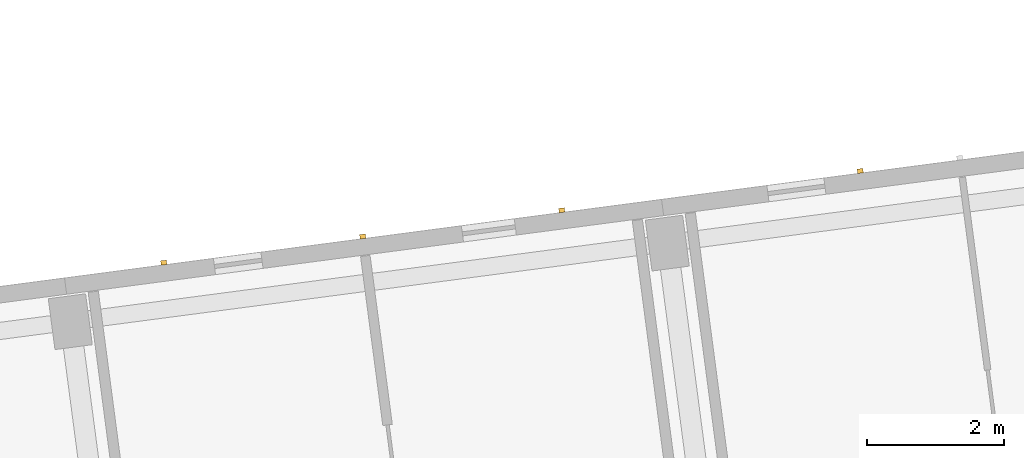
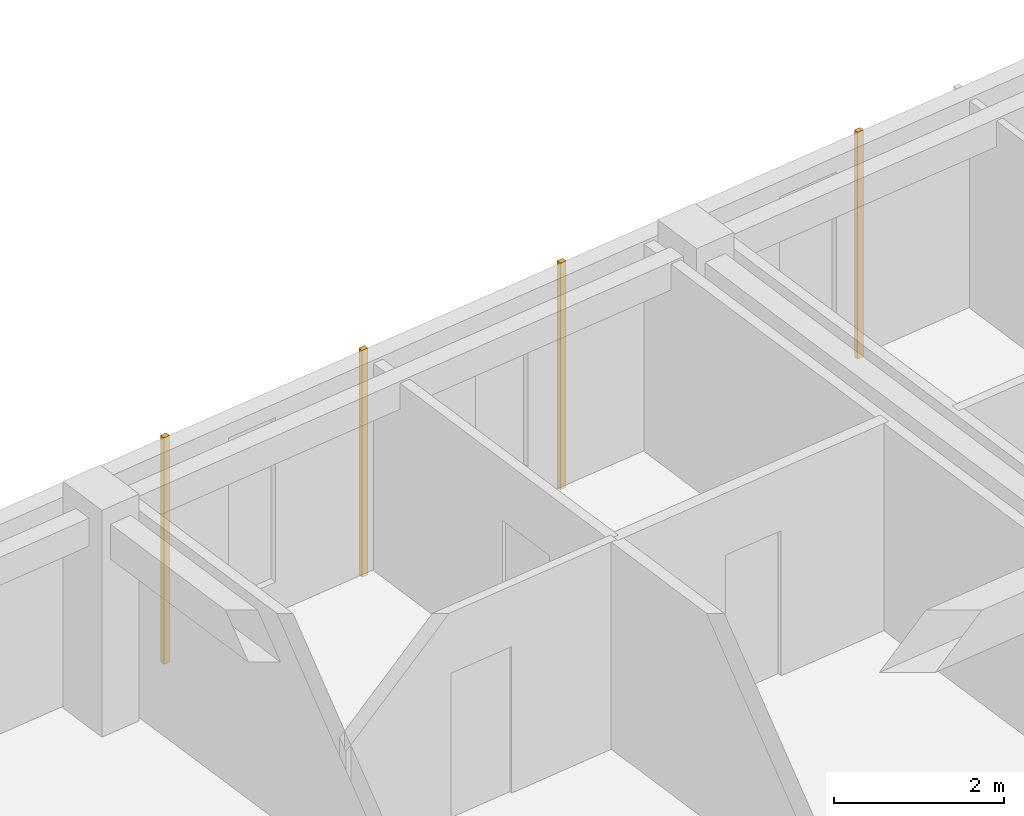
# One storey, part 49 of 68: 4 coverings.
"""IFC4 building model written with IfcOpenShell, lengths in metres."""

from ifc_helpers import new_model, si_unit, direction, frame, origin, origin_2d, place, context, subcontext, project, spatial, rectangle, extrude, material, layer, layer_set, type_object, element, save


model = new_model("IFC4")

# Units and contexts
model_context = context("Model", 3, precision=1e-05, world=origin(), true_north=direction((0.0, 1.0)))
body_context = subcontext(model_context, "Body", "Model", "MODEL_VIEW")
ifc_project = project(units=[si_unit("LENGTHUNIT", "METRE"), si_unit("AREAUNIT", "SQUARE_METRE"), si_unit("VOLUMEUNIT", "CUBIC_METRE"), si_unit("PLANEANGLEUNIT", "RADIAN"), si_unit("MASSUNIT", "GRAM", prefix="KILO")], contexts=[model_context])

# Site, building, storey
site_placement = place(None, origin())
site = spatial("IfcSite", under=ifc_project, at=site_placement, CompositionType="ELEMENT")
building_placement = place(site_placement, origin())
building = spatial("IfcBuilding", under=site, at=building_placement, Name="Kestramere Prow Commons", CompositionType="ELEMENT")
storey_placement = place(building_placement, frame((0.0, 0.0, 18.14990234375)))
storey = spatial("IfcBuildingStorey", under=building, at=storey_placement, Name="L05", CompositionType="ELEMENT", Elevation=18.14990234375)

# Coverings
ifc_material = material(Name="Weathered Zinc-Titanium Standing-Seam Cladding")
ifc_layer = layer(ifc_material, 0.074951171875)
ifc_layer_set = layer_set([ifc_layer], Name="Weathered Zinc-Titanium Standing-Seam Cladding")
covering_type = type_object("IfcCoveringType", Name="COV-CLAD-SEAM", PredefinedType="CLADDING", material=ifc_layer_set)
for number, where, z_axis, x_axis, name in (
    (1, (36.12939453125, 96.137939453125, -0.25), (0.0, 0.0, 1.0), (0.991444861374, 0.13052619222, 0.0), "EW-A-L05-N-3 Standing-Seam Rib 1"),
    (2, (39.03759765625, 96.520751953125, -0.25), (0.0, 0.0, 1.0), (0.991444861374, 0.13052619222, 0.0), "EW-A-L05-N-3 Standing-Seam Rib 3"),
    (3, (41.94580078125, 96.903564453125, -0.25), (0.0, 0.0, 1.0), (0.991444861374, 0.13052619222, 0.0), "EW-A-L05-N-3 Standing-Seam Rib 5"),
    (4, (46.30810546875, 97.47802734375, -0.25), (0.0, 0.0, 1.0), (0.991444861374, 0.13052619222, 0.0), "EW-A-L05-N-4 Standing-Seam Rib 2"),
):
    element("IfcCovering", number, at=place(storey_placement, frame(where, z_axis=z_axis, x_axis=x_axis)), inside=storey, type_object=covering_type, Name=name, PredefinedType="CLADDING", context=body_context, shape_type="SweptSolid", body=[
        extrude(rectangle(XDim=0.0849609375, YDim=0.06494140625, at=origin_2d()), origin(), (0.0, 0.0, 1.0), 3.25),
    ])

save(model, "model.ifc")
